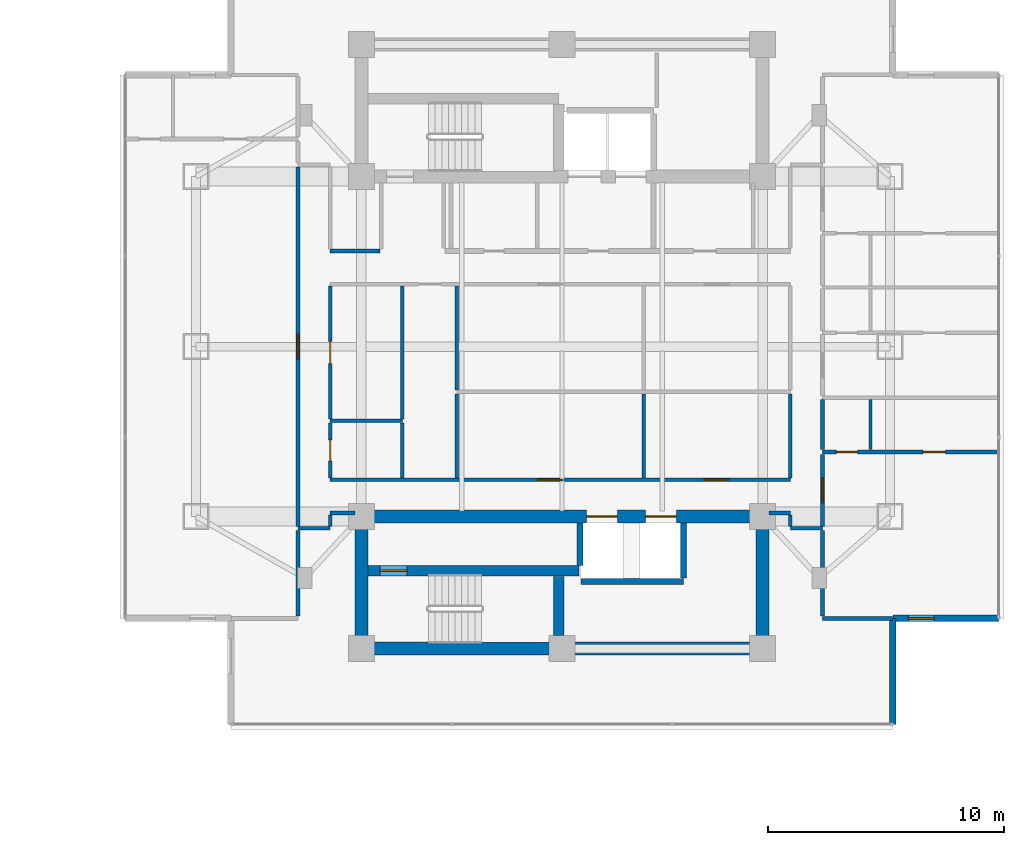
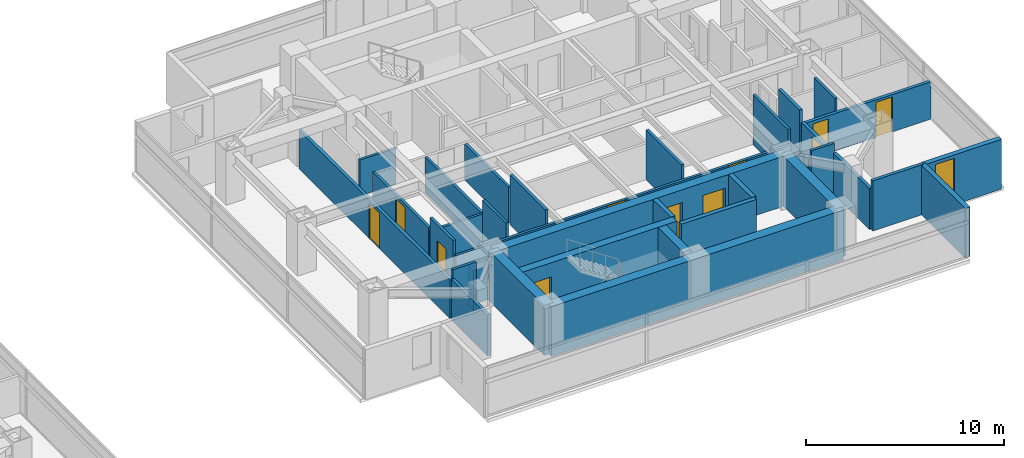
# One storey, part 17 of 24: 36 walls, 11 doors, 1 window, 12 openings.
"""IFC4 building model written with IfcOpenShell, lengths in metres."""

from ifc_helpers import new_model, si_unit, direction, frame, frame_2d, origin, place, context, subcontext, project, spatial, rectangle, extrude, material, layer, layer_set, type_object, element, fill, save


model = new_model("IFC4")

# Units and contexts
model_context = context("Model", 3, precision=1e-05, world=origin(), true_north=direction((0.0, 1.0)))
body_context = subcontext(model_context, "Body", "Model", "MODEL_VIEW")
ifc_project = project(units=[si_unit("LENGTHUNIT", "METRE"), si_unit("AREAUNIT", "SQUARE_METRE"), si_unit("VOLUMEUNIT", "CUBIC_METRE"), si_unit("PLANEANGLEUNIT", "RADIAN"), si_unit("MASSUNIT", "GRAM", prefix="KILO")], contexts=[model_context])

# Site, building, storey
site_placement = place(None, origin())
site = spatial("IfcSite", under=ifc_project, at=site_placement, CompositionType="ELEMENT")
building_placement = place(site_placement, origin())
building = spatial("IfcBuilding", under=site, at=building_placement, Name="Mirazonda Arch Towers", CompositionType="ELEMENT")
storey_placement = place(building_placement, frame((0.0, 0.0, 141.199951171875)))
storey = spatial("IfcBuildingStorey", under=building, at=storey_placement, Name="L40", CompositionType="ELEMENT", Elevation=141.199951171875)

# Wall, opening, door
ifc_material_1 = material(Name="Concrete C50/60", Category="concrete")
ifc_layer_1 = layer(ifc_material_1, 0.449951171875, Name="WALL-CORE-450")
ifc_layer_set_1 = layer_set([ifc_layer_1], Name="Concrete C50/60")
wall_type_1 = type_object("IfcWallType", Name="WALL-CORE-450", PredefinedType="SHEAR", material=ifc_layer_set_1)
wall_1_placement = place(storey_placement, frame((68.27001953125, 18.5, 0.0), z_axis=(0.0, 0.0, 1.0), x_axis=(1.0, 0.0, 0.0)))
wall_1 = element("IfcWall", 1, at=wall_1_placement, inside=storey, type_object=wall_type_1, Name="L40 Stair Core Shear Wall 014", PredefinedType="SHEAR", context=body_context, shape_type="SweptSolid", body=[
    extrude(rectangle(XDim=8.949951171875, YDim=0.449951171875, at=frame_2d((4.47509765625, 0.0))), origin(), (0.0, 0.0, 1.0), 3.080078125),
])
opening_1_placement = place(wall_1_placement, frame((0.52001953125, 0.0, 0.0)))
opening_1 = element("IfcOpeningElement", 2, at=opening_1_placement, cuts=wall_1, Name="Opening DR-135", PredefinedType="OPENING", context=body_context, shape_type="SweptSolid", body=[
    extrude(rectangle(XDim=1.14990234375, YDim=2.199951171875, at=frame_2d((0.574951171875, 1.10009765625))), frame((0.0, 0.23486328125, 0.0), z_axis=(0.0, -1.0, 0.0), x_axis=(1.0, 0.0, 0.0)), (0.0, 0.0, 1.0), 0.469970703125),
])
ifc_material_2 = material(Name="Architectural Brushed Steel S355", Category="steel")
door_type_1 = type_object("IfcDoorType", Name="DOOR-STAIR-FD90-1150", OperationType="NOTDEFINED", PredefinedType="DOOR", material=ifc_material_2)
door_1_placement = place(opening_1_placement, origin())
door_1 = element("IfcDoor", 3, at=door_1_placement, inside=storey, type_object=door_type_1, Name="L40 East Protected Stair South Door", OperationType="SINGLE_SWING_LEFT", OverallHeight=2.199951171875, OverallWidth=1.14990234375, PredefinedType="DOOR", context=body_context, shape_type="SweptSolid", body=[
    extrude(rectangle(XDim=1.14990234375, YDim=2.199951171875, at=frame_2d((0.574951171875, 1.10009765625))), frame((0.0, 0.02490234375, 0.0), z_axis=(0.0, -1.0, 0.0), x_axis=(1.0, 0.0, 0.0)), (0.0, 0.0, 1.0), 0.050048828125),
])
fill(opening_1, door_1)

# Walls
wall_2_placement = place(storey_placement, frame((76.360107421875, 15.764892578125, 0.0), z_axis=(0.0, 0.0, 1.0), x_axis=(0.0, 1.0, 0.0)))
element("IfcWall", 4, at=wall_2_placement, inside=storey, type_object=wall_type_1, Name="L40 Stair Core Shear Wall 137", PredefinedType="SHEAR", context=body_context, shape_type="SweptSolid", body=[
    extrude(rectangle(XDim=2.5, YDim=0.449951171875, at=frame_2d((1.25, 0.0))), origin(), (0.0, 0.0, 1.0), 3.080078125),
])
ifc_layer_2 = layer(ifc_material_1, 0.550048828125, Name="WALL-CORE-550")
ifc_layer_set_2 = layer_set([ifc_layer_2], Name="Concrete C50/60")
wall_type_2 = type_object("IfcWallType", Name="WALL-CORE-550", PredefinedType="SHEAR", material=ifc_layer_set_2)
wall_3_placement = place(storey_placement, frame((68.0, 15.199951171875, 0.0), z_axis=(0.0, 0.0, 1.0), x_axis=(1.0, 0.0, 0.0)))
element("IfcWall", 5, at=wall_3_placement, inside=storey, type_object=wall_type_2, Name="L40 T2S-S Core Shear Wall", PredefinedType="SHEAR", context=body_context, shape_type="SweptSolid", body=[
    extrude(rectangle(XDim=17.0, YDim=0.550048828125, at=frame_2d((8.5, 0.0))), origin(), (0.0, 0.0, 1.0), 3.080078125),
])
for number, where, z_axis, x_axis, name in (
    (6, (68.0, 15.199951171875, 0.0), (0.0, 0.0, 1.0), (0.0, 1.0, 0.0), "L40 T2S-W Core Shear Wall"),
    (7, (85.0, 15.199951171875, 0.0), (0.0, 0.0, 1.0), (0.0, 1.0, 0.0), "L40 T2S-E Core Shear Wall"),
):
    element("IfcWall", number, at=place(storey_placement, frame(where, z_axis=z_axis, x_axis=x_axis)), inside=storey, type_object=wall_type_2, Name=name, PredefinedType="SHEAR", context=body_context, shape_type="SweptSolid", body=[
        extrude(rectangle(XDim=5.60009765625, YDim=0.550048828125, at=frame_2d((2.800048828125, 0.0))), origin(), (0.0, 0.0, 1.0), 3.080078125),
    ])

# Wall, openings, doors
wall_4_placement = place(storey_placement, frame((68.0, 20.800048828125, 0.0), z_axis=(0.0, 0.0, 1.0), x_axis=(1.0, 0.0, 0.0)))
wall_4 = element("IfcWall", 8, at=wall_4_placement, inside=storey, type_object=wall_type_2, Name="L40 T2S-N Core Shear Wall", PredefinedType="SHEAR", context=body_context, shape_type="SweptSolid", body=[
    extrude(rectangle(XDim=17.0, YDim=0.550048828125, at=frame_2d((8.5, 0.0))), origin(), (0.0, 0.0, 1.0), 3.080078125),
])
opening_2_placement = place(wall_4_placement, frame((9.550048828125, 0.0, 0.0)))
opening_2 = element("IfcOpeningElement", 9, at=opening_2_placement, cuts=wall_4, Name="Opening LD-111", PredefinedType="OPENING", context=body_context, shape_type="SweptSolid", body=[
    extrude(rectangle(XDim=1.300048828125, YDim=2.300048828125, at=frame_2d((0.64990234375, 1.14990234375))), frame((0.0, 0.284912109375, 0.0), z_axis=(0.0, -1.0, 0.0), x_axis=(1.0, 0.0, 0.0)), (0.0, 0.0, 1.0), 0.570068359375),
])
opening_3_placement = place(wall_4_placement, frame((12.050048828125, 0.0, 0.0)))
opening_3 = element("IfcOpeningElement", 10, at=opening_3_placement, cuts=wall_4, Name="Opening LD-111", PredefinedType="OPENING", context=body_context, shape_type="SweptSolid", body=[
    extrude(rectangle(XDim=1.300048828125, YDim=2.300048828125, at=frame_2d((0.64990234375, 1.14990234375))), frame((0.0, 0.284912109375, 0.0), z_axis=(0.0, -1.0, 0.0), x_axis=(1.0, 0.0, 0.0)), (0.0, 0.0, 1.0), 0.570068359375),
])
door_type_2 = type_object("IfcDoorType", Name="DOOR-LIFT-LAND-1300", OperationType="NOTDEFINED", PredefinedType="DOOR", material=ifc_material_2)
door_2_placement = place(opening_2_placement, origin())
door_2 = element("IfcDoor", 11, at=door_2_placement, inside=storey, type_object=door_type_2, Name="L40 Lift Landing Sliding Door PL-T2H1", OperationType="DOUBLE_DOOR_SLIDING", OverallHeight=2.300048828125, OverallWidth=1.300048828125, PredefinedType="DOOR", context=body_context, shape_type="SweptSolid", body=[
    extrude(rectangle(XDim=1.300048828125, YDim=2.300048828125, at=frame_2d((0.64990234375, 1.14990234375))), frame((0.0, 0.02490234375, 0.0), z_axis=(0.0, -1.0, 0.0), x_axis=(1.0, 0.0, 0.0)), (0.0, 0.0, 1.0), 0.050048828125),
])
fill(opening_2, door_2)
door_3_placement = place(opening_3_placement, origin())
door_3 = element("IfcDoor", 12, at=door_3_placement, inside=storey, type_object=door_type_2, Name="L40 Lift Landing Sliding Door PL-T2H2", OperationType="DOUBLE_DOOR_SLIDING", OverallHeight=2.300048828125, OverallWidth=1.300048828125, PredefinedType="DOOR", context=body_context, shape_type="SweptSolid", body=[
    extrude(rectangle(XDim=1.300048828125, YDim=2.300048828125, at=frame_2d((0.64990234375, 1.14990234375))), frame((0.0, 0.02490234375, 0.0), z_axis=(0.0, -1.0, 0.0), x_axis=(1.0, 0.0, 0.0)), (0.0, 0.0, 1.0), 0.050048828125),
])
fill(opening_3, door_3)

# Wall, opening, window
ifc_material_3 = material(Name="Precast Concrete C40/50", Category="concrete")
ifc_layer_3 = layer(ifc_material_3, 0.280029296875, Name="WALL-EXT-WALL-280")
ifc_layer_set_3 = layer_set([ifc_layer_3], Name="Precast Concrete C40/50")
wall_type_3 = type_object("IfcWallType", Name="WALL-EXT-WALL-280", PredefinedType="SOLIDWALL", material=ifc_layer_set_3)
wall_5_placement = place(storey_placement, frame((90.5244140625, 16.484375, 0.0), z_axis=(0.0, 0.0, 1.0), x_axis=(1.0, 0.0, 0.0)))
wall_5 = element("IfcWall", 13, at=wall_5_placement, inside=storey, type_object=wall_type_3, Name="L40 T2 Corner Notch Return Wall WL-L40-T2-CSE1", PredefinedType="SOLIDWALL", context=body_context, shape_type="SweptSolid", body=[
    extrude(rectangle(XDim=4.486572265625, YDim=0.280029296875, at=frame_2d((2.2431640625, 0.0))), origin(), (0.0, 0.0, 1.0), 3.06005859375),
])
opening_4_placement = place(wall_5_placement, frame((0.64990234375, 0.0, 0.85009765625)))
opening_4 = element("IfcOpeningElement", 14, at=opening_4_placement, cuts=wall_5, Name="Opening WN-108", PredefinedType="OPENING", context=body_context, shape_type="SweptSolid", body=[
    extrude(rectangle(XDim=1.10009765625, YDim=2.0, at=frame_2d((0.550048828125, 1.0))), frame((0.0, 0.14990234375, 0.0), z_axis=(0.0, -1.0, 0.0), x_axis=(1.0, 0.0, 0.0)), (0.0, 0.0, 1.0), 0.300048828125),
])
ifc_material_4 = material(Name="Insulated Low-E Solar Glass", Category="glass")
window_type = type_object("IfcWindowType", Name="WIN-NOTCH-1100x2000", PartitioningType="SINGLE_PANEL", PredefinedType="WINDOW", material=ifc_material_4)
window_placement = place(opening_4_placement, origin())
window = element("IfcWindow", 15, at=window_placement, inside=storey, type_object=window_type, Name="L40 Punched Facade Window WN-L40-T2-CSE1", OverallHeight=2.0, OverallWidth=1.10009765625, PartitioningType="SINGLE_PANEL", PredefinedType="WINDOW", context=body_context, shape_type="SweptSolid", body=[
    extrude(rectangle(XDim=1.10009765625, YDim=2.0, at=frame_2d((0.550048828125, 1.0))), frame((0.0, 0.030029296875, 0.0), z_axis=(0.0, -1.0, 0.0), x_axis=(1.0, 0.0, 0.0)), (0.0, 0.0, 1.0), 0.06005859375),
])
fill(opening_4, window)

# Walls
wall_6_placement = place(storey_placement, frame((90.5244140625, 11.997802734375, 0.0), z_axis=(0.0, 0.0, 1.0), x_axis=(0.0, 1.0, 0.0)))
element("IfcWall", 16, at=wall_6_placement, inside=storey, type_object=wall_type_3, Name="L40 T2 Corner Notch Return Wall WL-L40-T2-CSE2", PredefinedType="SOLIDWALL", context=body_context, shape_type="SweptSolid", body=[
    extrude(rectangle(XDim=4.486572265625, YDim=0.280029296875, at=frame_2d((2.2431640625, 0.0))), origin(), (0.0, 0.0, 1.0), 3.06005859375),
])
ifc_material_5 = material(Name="Fire-Rated Gypsum Stud Partition")
ifc_layer_4 = layer(ifc_material_5, 0.14990234375, Name="WALL-PART-CORR-150")
ifc_layer_set_4 = layer_set([ifc_layer_4], Name="Fire-Rated Gypsum Stud Partition")
wall_type_4 = type_object("IfcWallType", Name="WALL-PART-CORR-150", PredefinedType="PARTITIONING", material=ifc_layer_set_4)
wall_7_placement = place(storey_placement, frame((65.320068359375, 20.300048828125, 0.0), z_axis=(0.0, 0.0, 1.0), x_axis=(1.0, 0.0, 0.0)))
element("IfcWall", 17, at=wall_7_placement, inside=storey, type_object=wall_type_4, Name="L40 Interior Partition 018", PredefinedType="PARTITIONING", context=body_context, shape_type="SweptSolid", body=[
    extrude(rectangle(XDim=1.35986328125, YDim=0.14990234375, at=frame_2d((0.679931640625, 0.0))), origin(), (0.0, 0.0, 1.0), 3.080078125),
])
wall_8_placement = place(storey_placement, frame((86.179931640625, 20.300048828125, 0.0), z_axis=(0.0, 0.0, 1.0), x_axis=(1.0, 0.0, 0.0)))
element("IfcWall", 18, at=wall_8_placement, inside=storey, type_object=wall_type_4, Name="L40 Interior Partition 019", PredefinedType="PARTITIONING", context=body_context, shape_type="SweptSolid", body=[
    extrude(rectangle(XDim=1.360107421875, YDim=0.14990234375, at=frame_2d((0.68017578125, 0.0))), origin(), (0.0, 0.0, 1.0), 3.080078125),
])
wall_9_placement = place(storey_placement, frame((66.679931640625, 20.949951171875, 0.0), z_axis=(0.0, 0.0, 1.0), x_axis=(1.0, 0.0, 0.0)))
element("IfcWall", 19, at=wall_9_placement, inside=storey, type_object=wall_type_4, Name="L40 Interior Partition 020", PredefinedType="PARTITIONING", context=body_context, shape_type="SweptSolid", body=[
    extrude(rectangle(XDim=1.050048828125, YDim=0.14990234375, at=frame_2d((0.52490234375, 0.0))), origin(), (0.0, 0.0, 1.0), 2.47216796875),
])
wall_10_placement = place(storey_placement, frame((85.27001953125, 20.949951171875, 0.0), z_axis=(0.0, 0.0, 1.0), x_axis=(1.0, 0.0, 0.0)))
element("IfcWall", 20, at=wall_10_placement, inside=storey, type_object=wall_type_4, Name="L40 Interior Partition 021", PredefinedType="PARTITIONING", context=body_context, shape_type="SweptSolid", body=[
    extrude(rectangle(XDim=0.909912109375, YDim=0.14990234375, at=frame_2d((0.455078125, 0.0))), origin(), (0.0, 0.0, 1.0), 2.47216796875),
])

# Wall, openings, doors
wall_11_placement = place(storey_placement, frame((66.679931640625, 22.35009765625, 0.0), z_axis=(0.0, 0.0, 1.0), x_axis=(1.0, 0.0, 0.0)))
wall_11 = element("IfcWall", 21, at=wall_11_placement, inside=storey, type_object=wall_type_4, Name="L40 Interior Partition 023", PredefinedType="PARTITIONING", context=body_context, shape_type="SweptSolid", body=[
    extrude(rectangle(XDim=19.5, YDim=0.14990234375, at=frame_2d((9.75, 0.0))), origin(), (0.0, 0.0, 1.0), 2.216064453125),
])
opening_5_placement = place(wall_11_placement, frame((8.801513671875, 0.0, 0.0)))
opening_5 = element("IfcOpeningElement", 22, at=opening_5_placement, cuts=wall_11, Name="Opening DR-121", PredefinedType="OPENING", context=body_context, shape_type="SweptSolid", body=[
    extrude(rectangle(XDim=1.050048828125, YDim=2.199951171875, at=frame_2d((0.52490234375, 1.10009765625))), frame((0.0, 0.0849609375, 0.0), z_axis=(0.0, -1.0, 0.0), x_axis=(1.0, 0.0, 0.0)), (0.0, 0.0, 1.0), 0.169921875),
])
opening_6_placement = place(wall_11_placement, frame((15.846435546875, 0.0, 0.0)))
opening_6 = element("IfcOpeningElement", 23, at=opening_6_placement, cuts=wall_11, Name="Opening DR-121", PredefinedType="OPENING", context=body_context, shape_type="SweptSolid", body=[
    extrude(rectangle(XDim=1.050048828125, YDim=2.199951171875, at=frame_2d((0.52490234375, 1.10009765625))), frame((0.0, 0.0849609375, 0.0), z_axis=(0.0, -1.0, 0.0), x_axis=(1.0, 0.0, 0.0)), (0.0, 0.0, 1.0), 0.169921875),
])
door_type_3 = type_object("IfcDoorType", Name="DOOR-SUITE-FD60-1050", OperationType="NOTDEFINED", PredefinedType="DOOR", material=ifc_material_2)
door_4_placement = place(opening_5_placement, origin())
door_4 = element("IfcDoor", 24, at=door_4_placement, inside=storey, type_object=door_type_3, Name="L40 Executive Club Lounge Door", OperationType="SINGLE_SWING_LEFT", OverallHeight=2.199951171875, OverallWidth=1.050048828125, PredefinedType="DOOR", context=body_context, shape_type="SweptSolid", body=[
    extrude(rectangle(XDim=1.050048828125, YDim=2.199951171875, at=frame_2d((0.52490234375, 1.10009765625))), frame((0.0, 0.02490234375, 0.0), z_axis=(0.0, -1.0, 0.0), x_axis=(1.0, 0.0, 0.0)), (0.0, 0.0, 1.0), 0.050048828125),
])
fill(opening_5, door_4)
door_5_placement = place(opening_6_placement, origin())
door_5 = element("IfcDoor", 25, at=door_5_placement, inside=storey, type_object=door_type_3, Name="L40 Business Reading Study Door", OperationType="SINGLE_SWING_RIGHT", OverallHeight=2.199951171875, OverallWidth=1.050048828125, PredefinedType="DOOR", context=body_context, shape_type="SweptSolid", body=[
    extrude(rectangle(XDim=1.050048828125, YDim=2.199951171875, at=frame_2d((0.52490234375, 1.10009765625))), frame((0.0, 0.02490234375, 0.0), z_axis=(0.0, -1.0, 0.0), x_axis=(1.0, 0.0, 0.0)), (0.0, 0.0, 1.0), 0.050048828125),
])
fill(opening_6, door_5)

# Walls
wall_12_placement = place(storey_placement, frame((66.679931640625, 24.85009765625, 0.0), z_axis=(0.0, 0.0, 1.0), x_axis=(1.0, 0.0, 0.0)))
element("IfcWall", 26, at=wall_12_placement, inside=storey, type_object=wall_type_4, Name="L40 Interior Partition 028", PredefinedType="PARTITIONING", context=body_context, shape_type="SweptSolid", body=[
    extrude(rectangle(XDim=3.070068359375, YDim=0.14990234375, at=frame_2d((1.53515625, 0.0))), origin(), (0.0, 0.0, 1.0), 2.216064453125),
])
wall_13_placement = place(storey_placement, frame((66.679931640625, 32.050048828125, 0.0), z_axis=(0.0, 0.0, 1.0), x_axis=(1.0, 0.0, 0.0)))
element("IfcWall", 27, at=wall_13_placement, inside=storey, type_object=wall_type_4, Name="L40 Interior Partition 042", PredefinedType="PARTITIONING", context=body_context, shape_type="SweptSolid", body=[
    extrude(rectangle(XDim=2.1201171875, YDim=0.14990234375, at=frame_2d((1.06005859375, 0.0))), origin(), (0.0, 0.0, 1.0), 2.216064453125),
])
wall_14_placement = place(storey_placement, frame((66.679931640625, 20.385009765625, 0.0), z_axis=(0.0, 0.0, 1.0), x_axis=(0.0, 1.0, 0.0)))
element("IfcWall", 28, at=wall_14_placement, inside=storey, type_object=wall_type_4, Name="L40 Interior Partition 125", PredefinedType="PARTITIONING", context=body_context, shape_type="SweptSolid", body=[
    extrude(rectangle(XDim=0.47998046875, YDim=0.14990234375, at=frame_2d((0.239990234375, 0.0))), origin(), (0.0, 0.0, 1.0), 2.47216796875),
])

# Wall, opening, door
wall_15_placement = place(storey_placement, frame((66.679931640625, 22.43505859375, 0.0), z_axis=(0.0, 0.0, 1.0), x_axis=(0.0, 1.0, 0.0)))
wall_15 = element("IfcWall", 29, at=wall_15_placement, inside=storey, type_object=wall_type_4, Name="L40 Interior Partition 126", PredefinedType="PARTITIONING", context=body_context, shape_type="SweptSolid", body=[
    extrude(rectangle(XDim=2.329833984375, YDim=0.14990234375, at=frame_2d((1.1650390625, 0.0))), origin(), (0.0, 0.0, 1.0), 3.080078125),
])
opening_7_placement = place(wall_15_placement, frame((0.715087890625, 0.0, 0.0)))
opening_7 = element("IfcOpeningElement", 30, at=opening_7_placement, cuts=wall_15, Name="Opening DR-120", PredefinedType="OPENING", context=body_context, shape_type="SweptSolid", body=[
    extrude(rectangle(XDim=0.89990234375, YDim=2.10009765625, at=frame_2d((0.449951171875, 1.050048828125))), frame((0.0, 0.0849609375, 0.0), z_axis=(0.0, -1.0, 0.0), x_axis=(1.0, 0.0, 0.0)), (0.0, 0.0, 1.0), 0.169921875),
])
door_type_4 = type_object("IfcDoorType", Name="DOOR-WC-900", OperationType="NOTDEFINED", PredefinedType="DOOR", material=ifc_material_2)
door_6_placement = place(opening_7_placement, origin())
door_6 = element("IfcDoor", 31, at=door_6_placement, inside=storey, type_object=door_type_4, Name="L40 Tower 2 Common Accessible WC Door", OperationType="SINGLE_SWING_RIGHT", OverallHeight=2.10009765625, OverallWidth=0.89990234375, PredefinedType="DOOR", context=body_context, shape_type="SweptSolid", body=[
    extrude(rectangle(XDim=0.89990234375, YDim=2.10009765625, at=frame_2d((0.449951171875, 1.050048828125))), frame((0.0, 0.02490234375, 0.0), z_axis=(0.0, -1.0, 0.0), x_axis=(1.0, 0.0, 0.0)), (0.0, 0.0, 1.0), 0.050048828125),
])
fill(opening_7, door_6)

wall_16_placement = place(storey_placement, frame((66.679931640625, 24.93505859375, 0.0), z_axis=(0.0, 0.0, 1.0), x_axis=(0.0, 1.0, 0.0)))
wall_16 = element("IfcWall", 32, at=wall_16_placement, inside=storey, type_object=wall_type_4, Name="L40 Interior Partition 127", PredefinedType="PARTITIONING", context=body_context, shape_type="SweptSolid", body=[
    extrude(rectangle(XDim=5.6298828125, YDim=0.14990234375, at=frame_2d((2.81494140625, 0.0))), origin(), (0.0, 0.0, 1.0), 2.3759765625),
])
opening_8_placement = place(wall_16_placement, frame((2.340087890625, 0.0, 0.0)))
opening_8 = element("IfcOpeningElement", 33, at=opening_8_placement, cuts=wall_16, Name="Opening DR-104", PredefinedType="OPENING", context=body_context, shape_type="SweptSolid", body=[
    extrude(rectangle(XDim=0.949951171875, YDim=2.14990234375, at=frame_2d((0.47509765625, 1.074951171875))), frame((0.0, 0.0849609375, 0.0), z_axis=(0.0, -1.0, 0.0), x_axis=(1.0, 0.0, 0.0)), (0.0, 0.0, 1.0), 0.169921875),
])
door_type_5 = type_object("IfcDoorType", Name="DOOR-ROOM-950", OperationType="NOTDEFINED", PredefinedType="DOOR", material=ifc_material_2)
door_7_placement = place(opening_8_placement, origin())
door_7 = element("IfcDoor", 34, at=door_7_placement, inside=storey, type_object=door_type_5, Name="L40 L40 East Courtyard Reading Study Door", OperationType="SINGLE_SWING_LEFT", OverallHeight=2.14990234375, OverallWidth=0.949951171875, PredefinedType="DOOR", context=body_context, shape_type="SweptSolid", body=[
    extrude(rectangle(XDim=0.949951171875, YDim=2.14990234375, at=frame_2d((0.47509765625, 1.074951171875))), frame((0.0, 0.02490234375, 0.0), z_axis=(0.0, -1.0, 0.0), x_axis=(1.0, 0.0, 0.0)), (0.0, 0.0, 1.0), 0.050048828125),
])
fill(opening_8, door_7)

# Walls
wall_17_placement = place(storey_placement, frame((69.743408203125, 22.43505859375, 0.0), z_axis=(0.0, 0.0, 1.0), x_axis=(0.0, 1.0, 0.0)))
element("IfcWall", 35, at=wall_17_placement, inside=storey, type_object=wall_type_4, Name="L40 Interior Partition 130", PredefinedType="PARTITIONING", context=body_context, shape_type="SweptSolid", body=[
    extrude(rectangle(XDim=2.329833984375, YDim=0.14990234375, at=frame_2d((1.1650390625, 0.0))), origin(), (0.0, 0.0, 1.0), 3.080078125),
])
wall_18_placement = place(storey_placement, frame((69.743408203125, 24.93505859375, 0.0), z_axis=(0.0, 0.0, 1.0), x_axis=(0.0, 1.0, 0.0)))
element("IfcWall", 36, at=wall_18_placement, inside=storey, type_object=wall_type_4, Name="L40 Interior Partition 131", PredefinedType="PARTITIONING", context=body_context, shape_type="SweptSolid", body=[
    extrude(rectangle(XDim=5.6298828125, YDim=0.14990234375, at=frame_2d((2.81494140625, 0.0))), origin(), (0.0, 0.0, 1.0), 2.216064453125),
])
wall_19_placement = place(storey_placement, frame((72.050048828125, 22.43505859375, 0.0), z_axis=(0.0, 0.0, 1.0), x_axis=(0.0, 1.0, 0.0)))
element("IfcWall", 37, at=wall_19_placement, inside=storey, type_object=wall_type_4, Name="L40 Interior Partition 134", PredefinedType="PARTITIONING", context=body_context, shape_type="SweptSolid", body=[
    extrude(rectangle(XDim=3.56494140625, YDim=0.14990234375, at=frame_2d((1.782470703125, 0.0))), origin(), (0.0, 0.0, 1.0), 3.080078125),
])
wall_20_placement = place(storey_placement, frame((72.050048828125, 26.169921875, 0.0), z_axis=(0.0, 0.0, 1.0), x_axis=(0.0, 1.0, 0.0)))
element("IfcWall", 38, at=wall_20_placement, inside=storey, type_object=wall_type_4, Name="L40 Interior Partition 135", PredefinedType="PARTITIONING", context=body_context, shape_type="SweptSolid", body=[
    extrude(rectangle(XDim=4.39501953125, YDim=0.14990234375, at=frame_2d((2.197509765625, 0.0))), origin(), (0.0, 0.0, 1.0), 2.216064453125),
])
wall_21_placement = place(storey_placement, frame((79.962890625, 22.43505859375, 0.0), z_axis=(0.0, 0.0, 1.0), x_axis=(0.0, 1.0, 0.0)))
element("IfcWall", 39, at=wall_21_placement, inside=storey, type_object=wall_type_4, Name="L40 Interior Partition 140", PredefinedType="PARTITIONING", context=body_context, shape_type="SweptSolid", body=[
    extrude(rectangle(XDim=3.56494140625, YDim=0.14990234375, at=frame_2d((1.782470703125, 0.0))), origin(), (0.0, 0.0, 1.0), 3.080078125),
])
wall_22_placement = place(storey_placement, frame((86.179931640625, 20.385009765625, 0.0), z_axis=(0.0, 0.0, 1.0), x_axis=(0.0, 1.0, 0.0)))
element("IfcWall", 40, at=wall_22_placement, inside=storey, type_object=wall_type_4, Name="L40 Interior Partition 147", PredefinedType="PARTITIONING", context=body_context, shape_type="SweptSolid", body=[
    extrude(rectangle(XDim=0.47998046875, YDim=0.14990234375, at=frame_2d((0.239990234375, 0.0))), origin(), (0.0, 0.0, 1.0), 2.47216796875),
])
wall_23_placement = place(storey_placement, frame((86.179931640625, 22.43505859375, 0.0), z_axis=(0.0, 0.0, 1.0), x_axis=(0.0, 1.0, 0.0)))
element("IfcWall", 41, at=wall_23_placement, inside=storey, type_object=wall_type_4, Name="L40 Interior Partition 148", PredefinedType="PARTITIONING", context=body_context, shape_type="SweptSolid", body=[
    extrude(rectangle(XDim=3.56494140625, YDim=0.14990234375, at=frame_2d((1.782470703125, 0.0))), origin(), (0.0, 0.0, 1.0), 3.080078125),
])
ifc_material_6 = material(Name="Fire-Rated Gypsum Twin-Stud Assembly")
ifc_layer_5 = layer(ifc_material_6, 0.179931640625, Name="WALL-PART-DEMISE-180")
ifc_layer_set_5 = layer_set([ifc_layer_5], Name="Fire-Rated Gypsum Twin-Stud Assembly")
wall_type_5 = type_object("IfcWallType", Name="WALL-PART-DEMISE-180", PredefinedType="PARTITIONING", material=ifc_layer_set_5)
wall_24_placement = place(storey_placement, frame((87.5400390625, 16.48388671875, 0.0), z_axis=(0.0, 0.0, 1.0), x_axis=(1.0, 0.0, 0.0)))
element("IfcWall", 42, at=wall_24_placement, inside=storey, type_object=wall_type_5, Name="L40 Interior Partition 010", PredefinedType="PARTITIONING", context=body_context, shape_type="SweptSolid", body=[
    extrude(rectangle(XDim=2.96435546875, YDim=0.179931640625, at=frame_2d((1.482177734375, 0.0))), origin(), (0.0, 0.0, 1.0), 3.080078125),
])

# Wall, openings, doors
wall_25_placement = place(storey_placement, frame((87.5400390625, 23.533935546875, 0.0), z_axis=(0.0, 0.0, 1.0), x_axis=(1.0, 0.0, 0.0)))
wall_25 = element("IfcWall", 43, at=wall_25_placement, inside=storey, type_object=wall_type_5, Name="L40 Interior Partition 025", PredefinedType="PARTITIONING", context=body_context, shape_type="SweptSolid", body=[
    extrude(rectangle(XDim=7.470947265625, YDim=0.179931640625, at=frame_2d((3.7353515625, 0.0))), origin(), (0.0, 0.0, 1.0), 2.299072265625),
])
opening_9_placement = place(wall_25_placement, frame((4.260498046875, 0.0, 0.0)))
opening_9 = element("IfcOpeningElement", 44, at=opening_9_placement, cuts=wall_25, Name="Opening DR-104", PredefinedType="OPENING", context=body_context, shape_type="SweptSolid", body=[
    extrude(rectangle(XDim=0.949951171875, YDim=2.14990234375, at=frame_2d((0.47509765625, 1.074951171875))), frame((0.0, 0.099853515625, 0.0), z_axis=(0.0, -1.0, 0.0), x_axis=(1.0, 0.0, 0.0)), (0.0, 0.0, 1.0), 0.199951171875),
])
opening_10_placement = place(wall_25_placement, frame((0.590087890625, 0.0, 0.0)))
opening_10 = element("IfcOpeningElement", 45, at=opening_10_placement, cuts=wall_25, Name="Opening DR-120", PredefinedType="OPENING", context=body_context, shape_type="SweptSolid", body=[
    extrude(rectangle(XDim=0.89990234375, YDim=2.10009765625, at=frame_2d((0.449951171875, 1.050048828125))), frame((0.0, 0.099853515625, 0.0), z_axis=(0.0, -1.0, 0.0), x_axis=(1.0, 0.0, 0.0)), (0.0, 0.0, 1.0), 0.199951171875),
])
door_8_placement = place(opening_9_placement, origin())
door_8 = element("IfcDoor", 46, at=door_8_placement, inside=storey, type_object=door_type_5, Name="L40 Guestroom Study 1 Door", OperationType="SINGLE_SWING_LEFT", OverallHeight=2.14990234375, OverallWidth=0.949951171875, PredefinedType="DOOR", context=body_context, shape_type="SweptSolid", body=[
    extrude(rectangle(XDim=0.949951171875, YDim=2.14990234375, at=frame_2d((0.47509765625, 1.074951171875))), frame((0.0, 0.02490234375, 0.0), z_axis=(0.0, -1.0, 0.0), x_axis=(1.0, 0.0, 0.0)), (0.0, 0.0, 1.0), 0.050048828125),
])
fill(opening_9, door_8)
door_9_placement = place(opening_10_placement, origin())
door_9 = element("IfcDoor", 47, at=door_9_placement, inside=storey, type_object=door_type_4, Name="L40 En-Suite Bathroom 1 Door", OperationType="SINGLE_SWING_RIGHT", OverallHeight=2.10009765625, OverallWidth=0.89990234375, PredefinedType="DOOR", context=body_context, shape_type="SweptSolid", body=[
    extrude(rectangle(XDim=0.89990234375, YDim=2.10009765625, at=frame_2d((0.449951171875, 1.050048828125))), frame((0.0, 0.02490234375, 0.0), z_axis=(0.0, -1.0, 0.0), x_axis=(1.0, 0.0, 0.0)), (0.0, 0.0, 1.0), 0.050048828125),
])
fill(opening_10, door_9)

# Wall
wall_26_placement = place(storey_placement, frame((65.320068359375, 16.583984375, 0.0), z_axis=(0.0, 0.0, 1.0), x_axis=(0.0, 1.0, 0.0)))
element("IfcWall", 48, at=wall_26_placement, inside=storey, type_object=wall_type_5, Name="L40 Interior Partition 121", PredefinedType="PARTITIONING", context=body_context, shape_type="SweptSolid", body=[
    extrude(rectangle(XDim=3.631103515625, YDim=0.179931640625, at=frame_2d((1.8154296875, 0.0))), origin(), (0.0, 0.0, 1.0), 2.52294921875),
])

# Wall, opening, door
wall_27_placement = place(storey_placement, frame((65.320068359375, 20.385009765625, 0.0), z_axis=(0.0, 0.0, 1.0), x_axis=(0.0, 1.0, 0.0)))
wall_27 = element("IfcWall", 49, at=wall_27_placement, inside=storey, type_object=wall_type_5, Name="L40 Interior Partition 122", PredefinedType="PARTITIONING", context=body_context, shape_type="SweptSolid", body=[
    extrude(rectangle(XDim=15.22998046875, YDim=0.179931640625, at=frame_2d((7.614990234375, 0.0))), origin(), (0.0, 0.0, 1.0), 2.3759765625),
])
opening_11_placement = place(wall_27_placement, frame((7.090087890625, 0.0, 0.0)))
opening_11 = element("IfcOpeningElement", 50, at=opening_11_placement, cuts=wall_27, Name="Opening DR-121", PredefinedType="OPENING", context=body_context, shape_type="SweptSolid", body=[
    extrude(rectangle(XDim=1.050048828125, YDim=2.199951171875, at=frame_2d((0.52490234375, 1.10009765625))), frame((0.0, 0.099853515625, 0.0), z_axis=(0.0, -1.0, 0.0), x_axis=(1.0, 0.0, 0.0)), (0.0, 0.0, 1.0), 0.199951171875),
])
door_10_placement = place(opening_11_placement, origin())
door_10 = element("IfcDoor", 51, at=door_10_placement, inside=storey, type_object=door_type_3, Name="L40 Presidential Hotel Suite 1 Door", OperationType="SINGLE_SWING_LEFT", OverallHeight=2.199951171875, OverallWidth=1.050048828125, PredefinedType="DOOR", context=body_context, shape_type="SweptSolid", body=[
    extrude(rectangle(XDim=1.050048828125, YDim=2.199951171875, at=frame_2d((0.52490234375, 1.10009765625))), frame((0.0, 0.02490234375, 0.0), z_axis=(0.0, -1.0, 0.0), x_axis=(1.0, 0.0, 0.0)), (0.0, 0.0, 1.0), 0.050048828125),
])
fill(opening_11, door_10)

# Wall
wall_28_placement = place(storey_placement, frame((87.5400390625, 16.583984375, 0.0), z_axis=(0.0, 0.0, 1.0), x_axis=(0.0, 1.0, 0.0)))
element("IfcWall", 52, at=wall_28_placement, inside=storey, type_object=wall_type_5, Name="L40 Interior Partition 151", PredefinedType="PARTITIONING", context=body_context, shape_type="SweptSolid", body=[
    extrude(rectangle(XDim=3.631103515625, YDim=0.179931640625, at=frame_2d((1.8154296875, 0.0))), origin(), (0.0, 0.0, 1.0), 2.52294921875),
])

# Wall, opening, door
wall_29_placement = place(storey_placement, frame((87.5400390625, 20.385009765625, 0.0), z_axis=(0.0, 0.0, 1.0), x_axis=(0.0, 1.0, 0.0)))
wall_29 = element("IfcWall", 53, at=wall_29_placement, inside=storey, type_object=wall_type_5, Name="L40 Interior Partition 152", PredefinedType="PARTITIONING", context=body_context, shape_type="SweptSolid", body=[
    extrude(rectangle(XDim=3.049072265625, YDim=0.179931640625, at=frame_2d((1.5244140625, 0.0))), origin(), (0.0, 0.0, 1.0), 2.47216796875),
])
opening_12_placement = place(wall_29_placement, frame((0.99951171875, 0.0, 0.0)))
opening_12 = element("IfcOpeningElement", 54, at=opening_12_placement, cuts=wall_29, Name="Opening DR-121", PredefinedType="OPENING", context=body_context, shape_type="SweptSolid", body=[
    extrude(rectangle(XDim=1.050048828125, YDim=2.199951171875, at=frame_2d((0.52490234375, 1.10009765625))), frame((0.0, 0.099853515625, 0.0), z_axis=(0.0, -1.0, 0.0), x_axis=(1.0, 0.0, 0.0)), (0.0, 0.0, 1.0), 0.199951171875),
])
door_11_placement = place(opening_12_placement, origin())
door_11 = element("IfcDoor", 55, at=door_11_placement, inside=storey, type_object=door_type_3, Name="L40 King Hotel Guestroom 1 Door", OperationType="SINGLE_SWING_RIGHT", OverallHeight=2.199951171875, OverallWidth=1.050048828125, PredefinedType="DOOR", context=body_context, shape_type="SweptSolid", body=[
    extrude(rectangle(XDim=1.050048828125, YDim=2.199951171875, at=frame_2d((0.52490234375, 1.10009765625))), frame((0.0, 0.02490234375, 0.0), z_axis=(0.0, -1.0, 0.0), x_axis=(1.0, 0.0, 0.0)), (0.0, 0.0, 1.0), 0.050048828125),
])
fill(opening_12, door_11)

# Walls
wall_30_placement = place(storey_placement, frame((87.5400390625, 23.634033203125, 0.0), z_axis=(0.0, 0.0, 1.0), x_axis=(0.0, 1.0, 0.0)))
element("IfcWall", 56, at=wall_30_placement, inside=storey, type_object=wall_type_5, Name="L40 Interior Partition 153", PredefinedType="PARTITIONING", context=body_context, shape_type="SweptSolid", body=[
    extrude(rectangle(XDim=2.114990234375, YDim=0.179931640625, at=frame_2d((1.0576171875, 0.0))), origin(), (0.0, 0.0, 1.0), 3.080078125),
])
ifc_material_7 = material(Name="Acoustic Fire-Rated Gypsum Partition")
ifc_layer_6 = layer(ifc_material_7, 0.125, Name="WALL-PART-UNIT-125")
ifc_layer_set_6 = layer_set([ifc_layer_6], Name="Acoustic Fire-Rated Gypsum Partition")
wall_type_6 = type_object("IfcWallType", Name="WALL-PART-UNIT-125", PredefinedType="PARTITIONING", material=ifc_layer_set_6)
wall_31_placement = place(storey_placement, frame((89.580078125, 23.634033203125, 0.0), z_axis=(0.0, 0.0, 1.0), x_axis=(0.0, 1.0, 0.0)))
element("IfcWall", 57, at=wall_31_placement, inside=storey, type_object=wall_type_6, Name="L40 Interior Partition 159", PredefinedType="PARTITIONING", context=body_context, shape_type="SweptSolid", body=[
    extrude(rectangle(XDim=2.114990234375, YDim=0.125, at=frame_2d((1.0576171875, 0.0))), origin(), (0.0, 0.0, 1.0), 3.080078125),
])
ifc_material_8 = material(Name="Concrete C40/50", Category="concrete")
ifc_layer_7 = layer(ifc_material_8, 0.25, Name="WALL-SHAFT-250")
ifc_layer_set_7 = layer_set([ifc_layer_7], Name="Concrete C40/50")
wall_type_7 = type_object("IfcWallType", Name="WALL-SHAFT-250", PredefinedType="SOLIDWALL", material=ifc_layer_set_7)
wall_32_placement = place(storey_placement, frame((77.300048828125, 18.050048828125, 0.0), z_axis=(0.0, 0.0, 1.0), x_axis=(1.0, 0.0, 0.0)))
element("IfcWall", 58, at=wall_32_placement, inside=storey, type_object=wall_type_7, Name="L40 Interior Partition 011", PredefinedType="SOLIDWALL", context=body_context, shape_type="SweptSolid", body=[
    extrude(rectangle(XDim=4.349853515625, YDim=0.25, at=frame_2d((2.1748046875, 0.0))), origin(), (0.0, 0.0, 1.0), 3.080078125),
])
wall_33_placement = place(storey_placement, frame((77.260009765625, 18.735107421875, 0.0), z_axis=(0.0, 0.0, 1.0), x_axis=(0.0, 1.0, 0.0)))
element("IfcWall", 59, at=wall_33_placement, inside=storey, type_object=wall_type_7, Name="L40 Interior Partition 139", PredefinedType="SOLIDWALL", context=body_context, shape_type="SweptSolid", body=[
    extrude(rectangle(XDim=1.794921875, YDim=0.25, at=frame_2d((0.8974609375, 0.0))), origin(), (0.0, 0.0, 1.0), 3.080078125),
])
wall_34_placement = place(storey_placement, frame((81.64990234375, 18.18505859375, 0.0), z_axis=(0.0, 0.0, 1.0), x_axis=(0.0, 1.0, 0.0)))
element("IfcWall", 60, at=wall_34_placement, inside=storey, type_object=wall_type_7, Name="L40 Interior Partition 145", PredefinedType="SOLIDWALL", context=body_context, shape_type="SweptSolid", body=[
    extrude(rectangle(XDim=2.344970703125, YDim=0.25, at=frame_2d((1.17236328125, 0.0))), origin(), (0.0, 0.0, 1.0), 3.080078125),
])

save(model, "model.ifc")
